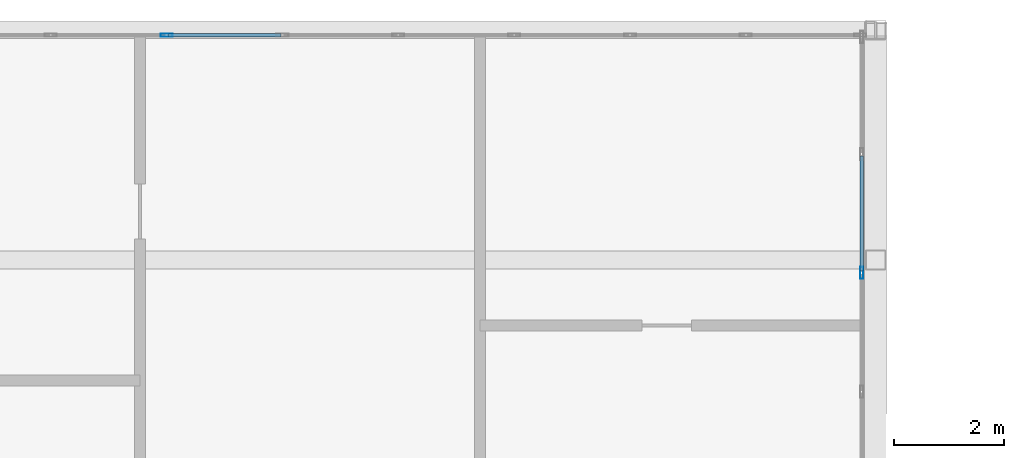
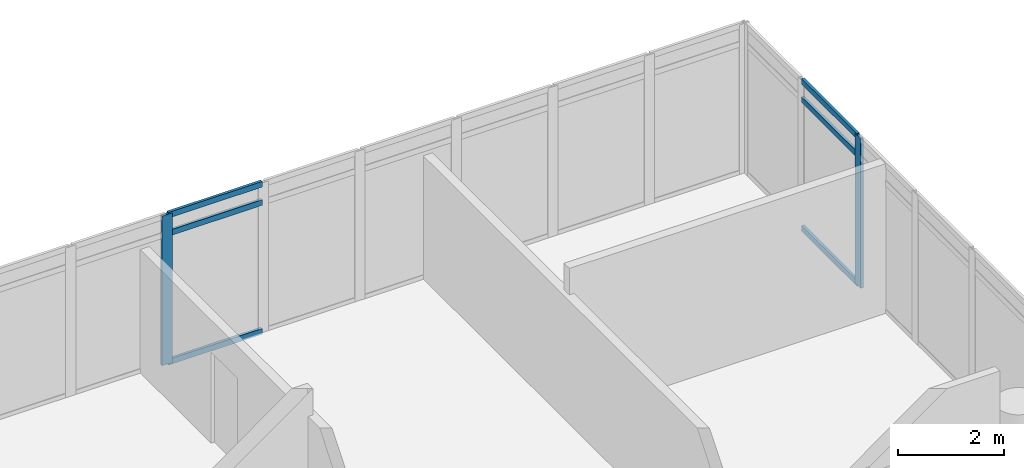
# One storey, part 23 of 34: 8 members, 2 elements without a shape of their own.
"""IFC4 building model written with IfcOpenShell, lengths in metres."""

from ifc_helpers import new_model, si_unit, direction, frame, origin, origin_2d, place, context, subcontext, project, spatial, hollow_rectangle, extrude, material, material_profile, profile_set, type_object, element, aggregate, save


model = new_model("IFC4")

# Units and contexts
model_context = context("Model", 3, precision=1e-05, world=origin(), true_north=direction((0.0, 1.0)))
body_context = subcontext(model_context, "Body", "Model", "MODEL_VIEW")
ifc_project = project(units=[si_unit("LENGTHUNIT", "METRE"), si_unit("AREAUNIT", "SQUARE_METRE"), si_unit("VOLUMEUNIT", "CUBIC_METRE"), si_unit("PLANEANGLEUNIT", "RADIAN"), si_unit("MASSUNIT", "GRAM", prefix="KILO")], contexts=[model_context])

# Site, building, storey
site_placement = place(None, origin())
site = spatial("IfcSite", under=ifc_project, at=site_placement, CompositionType="ELEMENT")
building_placement = place(site_placement, origin())
building = spatial("IfcBuilding", under=site, at=building_placement, Name="Ostrander Bayou Hotel Tower", CompositionType="ELEMENT")
storey_placement = place(building_placement, frame((0.0, 0.0, 222.0)))
storey = spatial("IfcBuildingStorey", under=building, at=storey_placement, Name="L55", CompositionType="ELEMENT", Elevation=222.0)

# Curtain wall, member
ifc_material_1 = material(Name="Aluminium and clear glass", Category="aluminium")
curtain_wall_type = type_object("IfcCurtainWallType", Name="CW-BAR glazed wall", PredefinedType="NOTDEFINED", material=ifc_material_1)
curtain_wall_1_placement = place(storey_placement, origin())
curtain_wall_1 = element("IfcCurtainWall", 1, at=curtain_wall_1_placement, inside=storey, type_object=curtain_wall_type, Name="CW-BAR L55:SB5N:T", PredefinedType="NOTDEFINED")
ifc_material_2 = material(Name="Aluminium", Category="aluminium")
ifc_material_profile_1 = material_profile(ifc_material_2, hollow_rectangle(XDim=0.06005859375, YDim=0.219970703125, WallThickness=0.00390625, at=origin_2d()))
ifc_profile_set_1 = profile_set([ifc_material_profile_1], Name="Aluminium")
member_type_1 = type_object("IfcMemberType", Name="CW-BR mullion 60 x 220 mm", PredefinedType="MULLION", material=ifc_profile_set_1)
member_1_placement = place(storey_placement, frame((-2.1025390625, 28.86669921875, 0.0), z_axis=(0.0, 0.0, 1.0), x_axis=(0.0, 1.0, 0.0)))
member_1 = element("IfcMember", 2, at=member_1_placement, type_object=member_type_1, Name="CW-BAR mullion 5", PredefinedType="MULLION", context=body_context, shape_type="SweptSolid", body=[
    extrude(hollow_rectangle(XDim=0.06005859375, YDim=0.219970703125, WallThickness=0.00390625, at=origin_2d()), origin(), (0.0, 0.0, 1.0), 3.449951171875),
])

curtain_wall_2_placement = place(storey_placement, origin())
curtain_wall_2 = element("IfcCurtainWall", 3, at=curtain_wall_2_placement, inside=storey, type_object=curtain_wall_type, Name="CW-BAR L55:SB5N:W", PredefinedType="NOTDEFINED")
member_2_placement = place(storey_placement, frame((10.51220703125, 24.55517578125, 0.0), z_axis=(0.0, 0.0, 1.0), x_axis=(-1.0, 0.0, 0.0)))
member_2 = element("IfcMember", 4, at=member_2_placement, type_object=member_type_1, Name="CW-BAR mullion 8", PredefinedType="MULLION", context=body_context, shape_type="SweptSolid", body=[
    extrude(hollow_rectangle(XDim=0.06005859375, YDim=0.219970703125, WallThickness=0.00390625, at=origin_2d()), origin(), (0.0, 0.0, 1.0), 3.449951171875),
])

# Member
ifc_material_3 = material(Name="Aluminium", Category="aluminium")
ifc_material_profile_2 = material_profile(ifc_material_3, hollow_rectangle(XDim=0.06005859375, YDim=0.1298828125, WallThickness=0.00390625, at=origin_2d()))
ifc_profile_set_2 = profile_set([ifc_material_profile_2], Name="Aluminium")
member_type_2 = type_object("IfcMemberType", Name="CW-BR transom 60 x 130 mm", PredefinedType="USERDEFINED", material=ifc_profile_set_2)
member_3_placement = place(storey_placement, frame((-2.072509765625, 28.86669921875, 0.030029296875), z_axis=(1.0, 0.0, 0.0), x_axis=(0.0, 1.0, 0.0)))
member_3 = element("IfcMember", 5, at=member_3_placement, type_object=member_type_2, Name="CW-BAR transom 5.1", ObjectType="TRANSOM", PredefinedType="USERDEFINED", context=body_context, shape_type="SweptSolid", body=[
    extrude(hollow_rectangle(XDim=0.06005859375, YDim=0.1298828125, WallThickness=0.00390625, at=origin_2d()), origin(), (0.0, 0.0, 1.0), 2.04248046875),
])

member_4_placement = place(storey_placement, frame((-2.072509765625, 28.86669921875, 3.0), z_axis=(1.0, 0.0, 0.0), x_axis=(0.0, 1.0, 0.0)))
member_4 = element("IfcMember", 6, at=member_4_placement, type_object=member_type_2, Name="CW-BAR transom 5.2", ObjectType="TRANSOM", PredefinedType="USERDEFINED", context=body_context, shape_type="SweptSolid", body=[
    extrude(hollow_rectangle(XDim=0.06005859375, YDim=0.1298828125, WallThickness=0.00390625, at=origin_2d()), origin(), (0.0, 0.0, 1.0), 2.04248046875),
])

member_5_placement = place(storey_placement, frame((-2.072509765625, 28.86669921875, 3.419921875), z_axis=(1.0, 0.0, 0.0), x_axis=(0.0, 1.0, 0.0)))
member_5 = element("IfcMember", 7, at=member_5_placement, type_object=member_type_2, Name="CW-BAR transom 5.3", ObjectType="TRANSOM", PredefinedType="USERDEFINED", context=body_context, shape_type="SweptSolid", body=[
    extrude(hollow_rectangle(XDim=0.06005859375, YDim=0.1298828125, WallThickness=0.00390625, at=origin_2d()), origin(), (0.0, 0.0, 1.0), 2.04248046875),
])

aggregate(curtain_wall_1, [member_1, member_3, member_4, member_5])

member_6_placement = place(storey_placement, frame((10.51220703125, 24.585205078125, 0.030029296875), z_axis=(0.0, 1.0, 0.0), x_axis=(-1.0, 0.0, 0.0)))
member_6 = element("IfcMember", 8, at=member_6_placement, type_object=member_type_2, Name="CW-BAR transom 8.1", ObjectType="TRANSOM", PredefinedType="USERDEFINED", context=body_context, shape_type="SweptSolid", body=[
    extrude(hollow_rectangle(XDim=0.06005859375, YDim=0.1298828125, WallThickness=0.00390625, at=origin_2d()), origin(), (0.0, 0.0, 1.0), 2.095703125),
])

member_7_placement = place(storey_placement, frame((10.51220703125, 24.585205078125, 3.0), z_axis=(0.0, 1.0, 0.0), x_axis=(-1.0, 0.0, 0.0)))
member_7 = element("IfcMember", 9, at=member_7_placement, type_object=member_type_2, Name="CW-BAR transom 8.2", ObjectType="TRANSOM", PredefinedType="USERDEFINED", context=body_context, shape_type="SweptSolid", body=[
    extrude(hollow_rectangle(XDim=0.06005859375, YDim=0.1298828125, WallThickness=0.00390625, at=origin_2d()), origin(), (0.0, 0.0, 1.0), 2.095703125),
])

member_8_placement = place(storey_placement, frame((10.51220703125, 24.585205078125, 3.419921875), z_axis=(0.0, 1.0, 0.0), x_axis=(-1.0, 0.0, 0.0)))
member_8 = element("IfcMember", 10, at=member_8_placement, type_object=member_type_2, Name="CW-BAR transom 8.3", ObjectType="TRANSOM", PredefinedType="USERDEFINED", context=body_context, shape_type="SweptSolid", body=[
    extrude(hollow_rectangle(XDim=0.06005859375, YDim=0.1298828125, WallThickness=0.00390625, at=origin_2d()), origin(), (0.0, 0.0, 1.0), 2.095703125),
])

aggregate(curtain_wall_2, [member_2, member_6, member_7, member_8])

save(model, "model.ifc")
